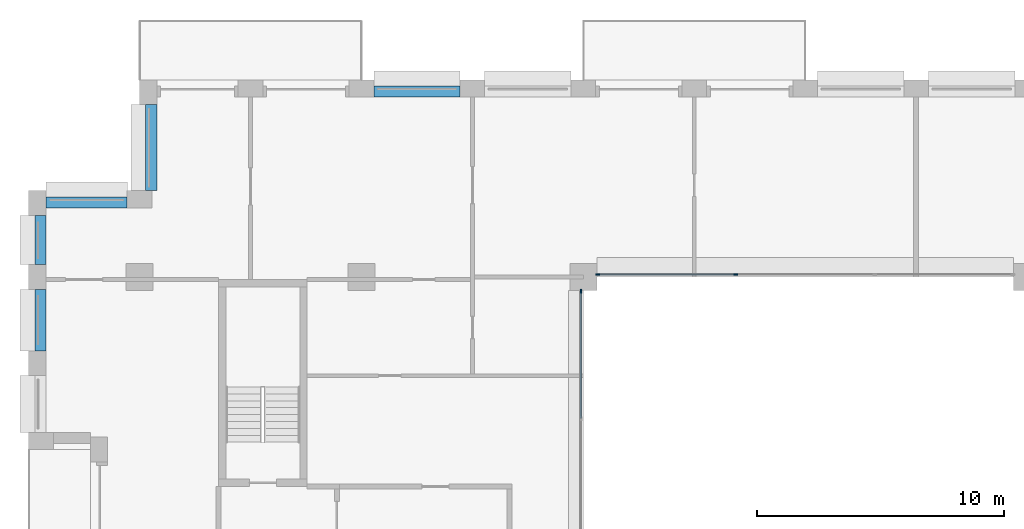
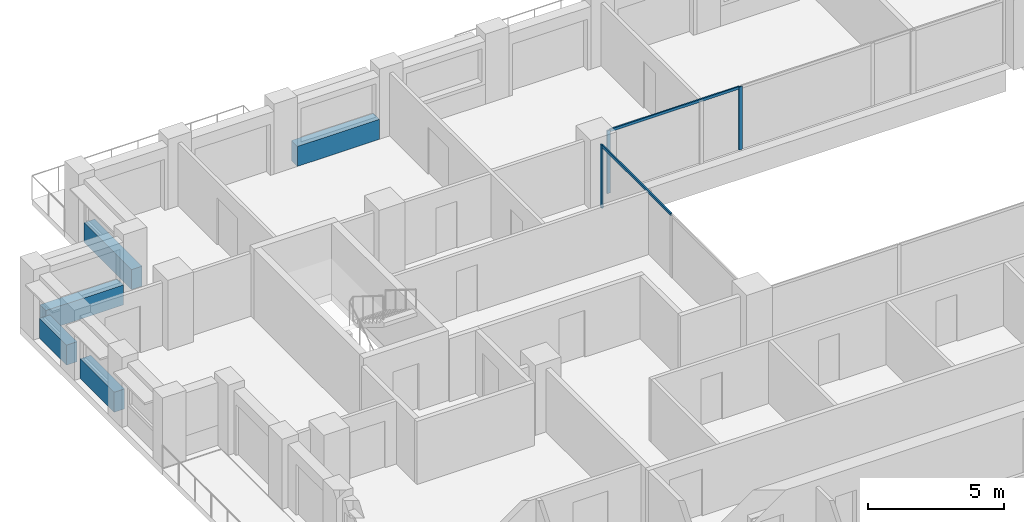
# One storey, part 5 of 15: 5 beams, 5 members, 2 elements without a shape of their own.
"""IFC4 building model written with IfcOpenShell, lengths in metres."""

from ifc_helpers import new_model, si_unit, direction, frame, origin, origin_2d, place, context, subcontext, project, spatial, rectangle, extrude, material, layer, layer_set, material_profile, profile_set, type_object, element, aggregate, save


model = new_model("IFC4")

# Units and contexts
model_context = context("Model", 3, precision=1e-05, world=origin(), true_north=direction((0.0, 1.0)))
body_context = subcontext(model_context, "Body", "Model", "MODEL_VIEW")
ifc_project = project(units=[si_unit("LENGTHUNIT", "METRE"), si_unit("AREAUNIT", "SQUARE_METRE"), si_unit("VOLUMEUNIT", "CUBIC_METRE"), si_unit("PLANEANGLEUNIT", "RADIAN"), si_unit("MASSUNIT", "GRAM", prefix="KILO")], contexts=[model_context])

# Site, building, storey
site_placement = place(None, origin())
site = spatial("IfcSite", under=ifc_project, at=site_placement, CompositionType="ELEMENT")
building_placement = place(site_placement, origin())
building = spatial("IfcBuilding", under=site, at=building_placement, Name="Brigalow Station Residences", CompositionType="ELEMENT")
storey_placement = place(building_placement, frame((0.0, 0.0, 150.75)))
storey = spatial("IfcBuildingStorey", under=building, at=storey_placement, Name="L43", CompositionType="ELEMENT", Elevation=150.75)

# Curtain wall, members
ifc_material_1 = material(Name="Aluminium", Category="aluminium")
ifc_layer = layer(ifc_material_1, 0.14990234375)
ifc_layer_set = layer_set([ifc_layer], Name="ATRIUM FIRE-RATED GLAZING CURTAIN WALL")
curtain_wall_type = type_object("IfcCurtainWallType", Name="ATRIUM FIRE-RATED GLAZING CURTAIN WALL", PredefinedType="NOTDEFINED", material=ifc_layer_set)
curtain_wall_1_placement = place(storey_placement, origin())
curtain_wall_1 = element("IfcCurtainWall", 1, at=curtain_wall_1_placement, inside=storey, type_object=curtain_wall_type, Name="L43/cw/atrium-N", PredefinedType="NOTDEFINED")
ifc_material_2 = material(Name="Aluminium", Category="aluminium")
ifc_material_profile_1 = material_profile(ifc_material_2, rectangle(XDim=0.06005859375, YDim=0.14990234375, at=origin_2d()), Name="ATRIUM FIRE-RATED GLAZING MULLION 60x150")
ifc_profile_set_1 = profile_set([ifc_material_profile_1], Name="Aluminium")
member_type_1 = type_object("IfcMemberType", Name="ATRIUM FIRE-RATED GLAZING MULLION 60x150", PredefinedType="MULLION", material=ifc_profile_set_1)
member_1_placement = place(storey_placement, frame((33.183349609375, 35.60009765625, 0.0), z_axis=(0.0, 0.0, 1.0), x_axis=(0.0, -1.0, 0.0)))
member_1 = element("IfcMember", 2, at=member_1_placement, type_object=member_type_1, Name="L43/cw/atrium-N/M02", PredefinedType="MULLION", context=body_context, shape_type="SweptSolid", body=[
    extrude(rectangle(XDim=0.06005859375, YDim=0.14990234375, at=origin_2d()), origin(), (0.0, 0.0, 1.0), 2.830078125),
])
member_2_placement = place(storey_placement, frame((27.580078125, 35.60009765625, 0.0), z_axis=(0.0, 0.0, 1.0), x_axis=(0.0, -1.0, 0.0)))
member_2 = element("IfcMember", 3, at=member_2_placement, type_object=member_type_1, Name="L43/cw/atrium-N/M03", PredefinedType="MULLION", context=body_context, shape_type="SweptSolid", body=[
    extrude(rectangle(XDim=0.06005859375, YDim=0.14990234375, at=origin_2d()), origin(), (0.0, 0.0, 1.0), 2.830078125),
])

# Curtain wall, member
curtain_wall_2_placement = place(storey_placement, origin())
curtain_wall_2 = element("IfcCurtainWall", 4, at=curtain_wall_2_placement, inside=storey, type_object=curtain_wall_type, Name="L43/cw/atrium-W", PredefinedType="NOTDEFINED")
member_3_placement = place(storey_placement, frame((26.89990234375, 34.919921875, 0.0), z_axis=(0.0, 0.0, 1.0), x_axis=(1.0, 0.0, 0.0)))
member_3 = element("IfcMember", 5, at=member_3_placement, type_object=member_type_1, Name="L43/cw/atrium-W/M00", PredefinedType="MULLION", context=body_context, shape_type="SweptSolid", body=[
    extrude(rectangle(XDim=0.06005859375, YDim=0.14990234375, at=origin_2d()), origin(), (0.0, 0.0, 1.0), 2.830078125),
])

# Member
ifc_material_3 = material(Name="Aluminium", Category="aluminium")
ifc_material_profile_2 = material_profile(ifc_material_3, rectangle(XDim=0.06005859375, YDim=0.1201171875, at=origin_2d()), Name="ATRIUM FIRE-RATED GLAZING TRANSOM 60x120")
ifc_profile_set_2 = profile_set([ifc_material_profile_2], Name="Aluminium")
member_type_2 = type_object("IfcMemberType", Name="ATRIUM FIRE-RATED GLAZING TRANSOM 60x120", PredefinedType="USERDEFINED", material=ifc_profile_set_2)
member_4_placement = place(storey_placement, frame((33.1533203125, 35.60009765625, 2.800048828125), z_axis=(-1.0, 0.0, 0.0), x_axis=(0.0, -1.0, 0.0)))
member_4 = element("IfcMember", 6, at=member_4_placement, type_object=member_type_2, Name="L43/cw/atrium-N/T02-00", ObjectType="TRANSOM", PredefinedType="USERDEFINED", context=body_context, shape_type="SweptSolid", body=[
    extrude(rectangle(XDim=0.06005859375, YDim=0.1201171875, at=origin_2d()), origin(), (0.0, 0.0, 1.0), 5.543212890625),
])

aggregate(curtain_wall_1, [member_1, member_2, member_4])

member_5_placement = place(storey_placement, frame((26.89990234375, 34.889892578125, 2.800048828125), z_axis=(0.0, -1.0, 0.0), x_axis=(1.0, 0.0, 0.0)))
member_5 = element("IfcMember", 7, at=member_5_placement, type_object=member_type_2, Name="L43/cw/atrium-W/T00-00", ObjectType="TRANSOM", PredefinedType="USERDEFINED", context=body_context, shape_type="SweptSolid", body=[
    extrude(rectangle(XDim=0.06005859375, YDim=0.1201171875, at=origin_2d()), origin(), (0.0, 0.0, 1.0), 5.10986328125),
])

aggregate(curtain_wall_2, [member_3, member_5])

# Beams
ifc_material_4 = material(Name="Concrete C50", Category="concrete")
ifc_material_profile_3 = material_profile(ifc_material_4, rectangle(XDim=0.449951171875, YDim=0.89990234375, at=origin_2d()), Name="RC450x900")
ifc_profile_set_3 = profile_set([ifc_material_profile_3], Name="Concrete C50")
beam_type = type_object("IfcBeamType", Name="SPANDREL BEAM 450x900 C50", PredefinedType="SPANDREL", material=ifc_profile_set_3)
for number, where, z_axis, x_axis, name in (
    (8, (22.0, 43.02490234375, 0.449951171875), (-1.0, 0.0, 0.0), (0.0, -1.0, 0.0), "L43/spandrel/W-L43-32"),
    (9, (9.47509765625, 42.5, 0.449951171875), (0.0, -1.0, 0.0), (1.0, 0.0, 0.0), "L43/spandrel/W-L43-35"),
):
    element("IfcBeam", number, at=place(storey_placement, frame(where, z_axis=z_axis, x_axis=x_axis)), inside=storey, type_object=beam_type, Name=name, PredefinedType="SPANDREL", context=body_context, shape_type="SweptSolid", body=[
        extrude(rectangle(XDim=0.449951171875, YDim=0.89990234375, at=origin_2d()), origin(), (0.0, 0.0, 1.0), 3.5),
    ])
beam_1_placement = place(storey_placement, frame((8.5, 38.52490234375, 0.449951171875), z_axis=(-1.0, 0.0, 0.0), x_axis=(0.0, -1.0, 0.0)))
element("IfcBeam", 10, at=beam_1_placement, inside=storey, type_object=beam_type, Name="L43/spandrel/W-L43-36", PredefinedType="SPANDREL", context=body_context, shape_type="SweptSolid", body=[
    extrude(rectangle(XDim=0.449951171875, YDim=0.89990234375, at=origin_2d()), origin(), (0.0, 0.0, 1.0), 3.300048828125),
])
beam_2_placement = place(storey_placement, frame((4.97509765625, 38.0, 0.449951171875), z_axis=(0.0, -1.0, 0.0), x_axis=(1.0, 0.0, 0.0)))
element("IfcBeam", 11, at=beam_2_placement, inside=storey, type_object=beam_type, Name="L43/spandrel/W-L43-37", PredefinedType="SPANDREL", context=body_context, shape_type="SweptSolid", body=[
    extrude(rectangle(XDim=0.449951171875, YDim=0.89990234375, at=origin_2d()), origin(), (0.0, 0.0, 1.0), 2.0),
])
beam_3_placement = place(storey_placement, frame((4.97509765625, 35.0, 0.449951171875), z_axis=(0.0, -1.0, 0.0), x_axis=(1.0, 0.0, 0.0)))
element("IfcBeam", 12, at=beam_3_placement, inside=storey, type_object=beam_type, Name="L43/spandrel/W-L43-38", PredefinedType="SPANDREL", context=body_context, shape_type="SweptSolid", body=[
    extrude(rectangle(XDim=0.449951171875, YDim=0.89990234375, at=origin_2d()), origin(), (0.0, 0.0, 1.0), 2.5),
])

save(model, "model.ifc")
